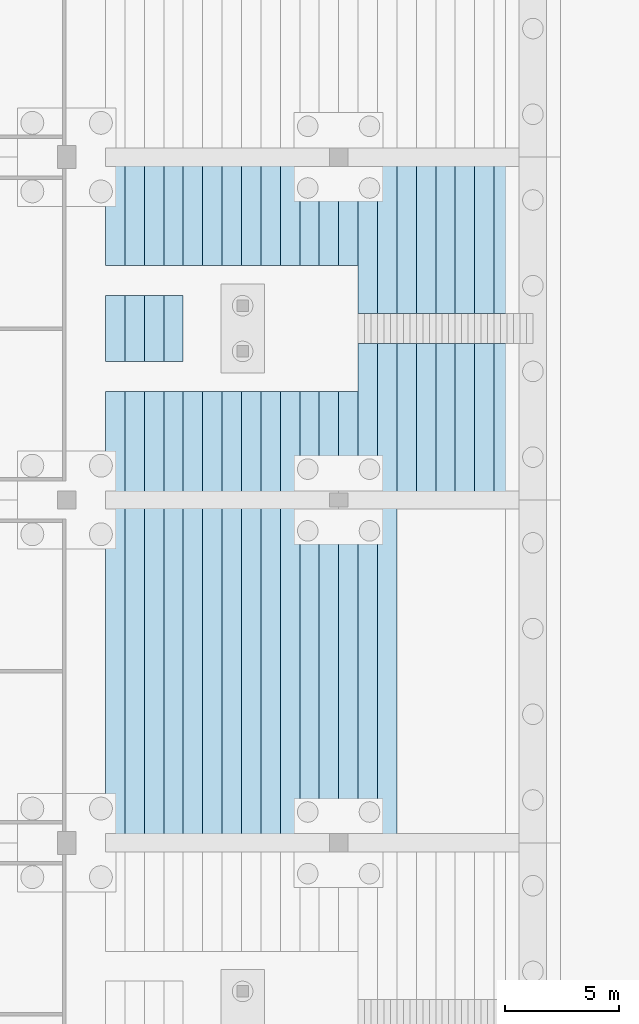
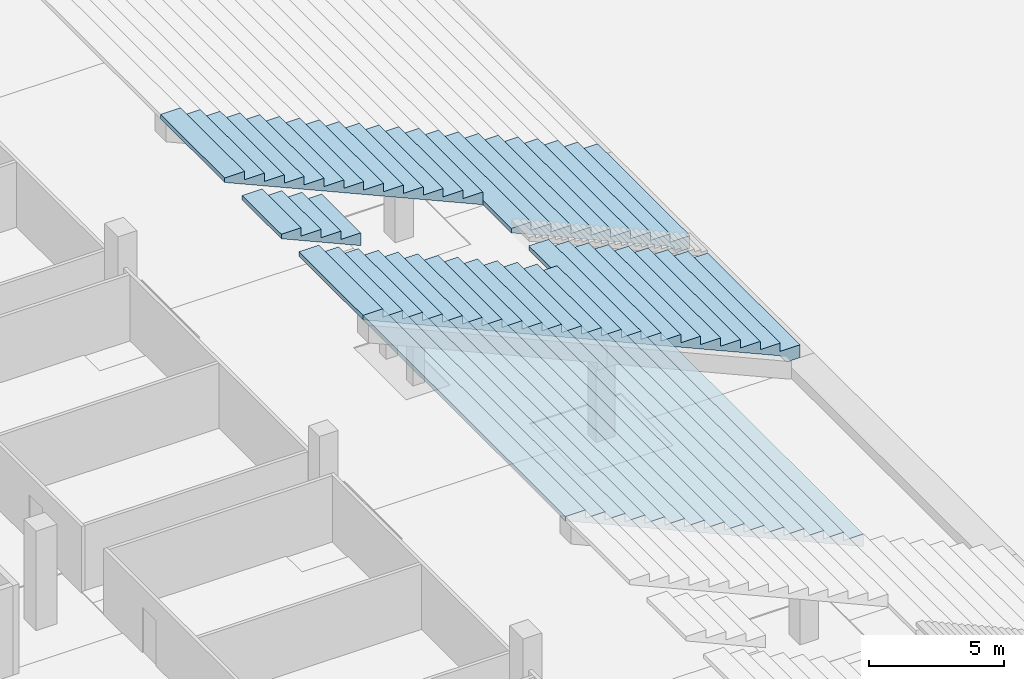
# One storey, part 49 of 115: 2 slabs.
"""IFC4 building model written with IfcOpenShell, lengths in metres."""

from ifc_helpers import new_model, si_unit, direction, frame, origin, place, context, subcontext, project, spatial, faceted_brep, material, layer, layer_set, type_object, element, save


model = new_model("IFC4")

# Units and contexts
model_context = context("Model", 3, precision=1e-05, world=origin(), true_north=direction((0.0, 1.0)))
body_context = subcontext(model_context, "Body", "Model", "MODEL_VIEW")
ifc_project = project(units=[si_unit("LENGTHUNIT", "METRE"), si_unit("AREAUNIT", "SQUARE_METRE"), si_unit("VOLUMEUNIT", "CUBIC_METRE"), si_unit("PLANEANGLEUNIT", "RADIAN"), si_unit("MASSUNIT", "GRAM", prefix="KILO")], contexts=[model_context])

# Site, building, storey
site_placement = place(None, origin())
site = spatial("IfcSite", under=ifc_project, at=site_placement, CompositionType="ELEMENT")
building_placement = place(site_placement, origin())
building = spatial("IfcBuilding", under=site, at=building_placement, Name="Ogive Plaza Stadium", CompositionType="ELEMENT")
storey_placement = place(building_placement, frame((0.0, 0.0, -4.5)))
storey = spatial("IfcBuildingStorey", under=building, at=storey_placement, Name="B1", CompositionType="ELEMENT", Elevation=-4.5)

# Slabs
ifc_material = material(Name="Concrete C45/55 precast", Category="concrete")
ifc_layer = layer(ifc_material, 0.574951171875)
ifc_layer_set = layer_set([ifc_layer], Name="Concrete C45/55 precast")
slab_type = type_object("IfcSlabType", Name="Seating tier LT 575", PredefinedType="USERDEFINED", material=ifc_layer_set)
slab_1_placement = place(storey_placement, origin())
element("IfcSlab", 1, at=slab_1_placement, inside=storey, type_object=slab_type, Name="Stand LT B24", ObjectType="SEATING TIER", PredefinedType="USERDEFINED", context=body_context, shape_type="Brep", body=[
    faceted_brep([(-47.449951171875, 7.5, 3.75), (-48.300048828125, 7.5, 3.75), (-48.300048828125, -7.5, 3.75), (-47.449951171875, -7.5, 3.75), (-48.300048828125, 7.5, 3.550048828125), (-47.449951171875, -7.5, 3.175048828125), (-48.300048828125, -7.5, 3.550048828125), (-47.449951171875, 7.5, 3.175048828125), (-49.14990234375, 7.5, 3.925048828125), (-49.14990234375, -7.5, 3.925048828125), (-50.0, 7.5, 4.300048828125), (-50.0, -7.5, 4.300048828125), (-50.85009765625, 7.5, 4.675048828125), (-50.85009765625, -7.5, 4.675048828125), (-51.699951171875, 7.5, 5.050048828125), (-51.699951171875, -7.5, 5.050048828125), (-52.550048828125, 7.5, 5.425048828125), (-52.550048828125, -7.5, 5.425048828125), (-53.39990234375, 7.5, 5.800048828125), (-53.39990234375, -7.5, 5.800048828125), (-54.25, 7.5, 6.175048828125), (-54.25, -7.5, 6.175048828125), (-55.10009765625, 7.5, 6.550048828125), (-55.10009765625, -7.5, 6.550048828125), (-55.949951171875, 7.5, 6.925048828125), (-55.949951171875, -7.5, 6.925048828125), (-56.800048828125, 7.5, 7.300048828125), (-56.800048828125, -7.5, 7.300048828125), (-57.64990234375, 7.5, 7.675048828125), (-57.64990234375, -7.5, 7.675048828125), (-58.5, 7.5, 8.050048828125), (-58.5, -7.5, 8.050048828125), (-59.35009765625, 7.5, 8.425048828125), (-59.35009765625, -7.5, 8.425048828125), (-60.199951171875, 7.5, 8.800048828125), (-60.199951171875, -7.5, 8.800048828125), (-48.300048828125, -7.5, 4.125), (-48.300048828125, 7.5, 4.125), (-49.14990234375, -7.5, 4.125), (-49.14990234375, -7.5, 4.5), (-50.0, -7.5, 4.5), (-50.0, -7.5, 4.875), (-50.85009765625, -7.5, 4.875), (-50.85009765625, -7.5, 5.25), (-51.699951171875, -7.5, 5.25), (-51.699951171875, -7.5, 5.625), (-52.550048828125, -7.5, 5.625), (-52.550048828125, -7.5, 6.0), (-53.39990234375, -7.5, 6.0), (-53.39990234375, -7.5, 6.375), (-54.25, -7.5, 6.375), (-54.25, -7.5, 6.75), (-55.10009765625, -7.5, 6.75), (-55.10009765625, -7.5, 7.125), (-55.949951171875, -7.5, 7.125), (-55.949951171875, -7.5, 7.5), (-56.800048828125, -7.5, 7.5), (-56.800048828125, -7.5, 7.875), (-57.64990234375, -7.5, 7.875), (-57.64990234375, -7.5, 8.25), (-58.5, -7.5, 8.25), (-58.5, -7.5, 8.625), (-59.35009765625, -7.5, 8.625), (-59.35009765625, -7.5, 9.0), (-60.199951171875, -7.5, 9.0), (-49.14990234375, 7.5, 4.125), (-50.0, 7.5, 4.5), (-49.14990234375, 7.5, 4.5), (-50.85009765625, 7.5, 4.875), (-50.0, 7.5, 4.875), (-51.699951171875, 7.5, 5.25), (-50.85009765625, 7.5, 5.25), (-52.550048828125, 7.5, 5.625), (-51.699951171875, 7.5, 5.625), (-53.39990234375, 7.5, 6.0), (-52.550048828125, 7.5, 6.0), (-54.25, 7.5, 6.375), (-53.39990234375, 7.5, 6.375), (-55.10009765625, 7.5, 6.75), (-54.25, 7.5, 6.75), (-55.949951171875, 7.5, 7.125), (-55.10009765625, 7.5, 7.125), (-56.800048828125, 7.5, 7.5), (-55.949951171875, 7.5, 7.5), (-57.64990234375, 7.5, 7.875), (-56.800048828125, 7.5, 7.875), (-58.5, 7.5, 8.25), (-57.64990234375, 7.5, 8.25), (-59.35009765625, 7.5, 8.625), (-58.5, 7.5, 8.625), (-60.199951171875, 7.5, 9.0), (-59.35009765625, 7.5, 9.0)], [[[0, 1, 2]], [[2, 3, 0]], [[4, 5, 6]], [[4, 7, 5]], [[8, 6, 9]], [[8, 4, 6]], [[10, 9, 11]], [[10, 8, 9]], [[12, 11, 13]], [[12, 10, 11]], [[14, 13, 15]], [[14, 12, 13]], [[16, 15, 17]], [[16, 14, 15]], [[18, 17, 19]], [[18, 16, 17]], [[20, 19, 21]], [[20, 18, 19]], [[22, 21, 23]], [[22, 20, 21]], [[24, 23, 25]], [[24, 22, 23]], [[26, 25, 27]], [[26, 24, 25]], [[28, 27, 29]], [[28, 26, 27]], [[30, 29, 31]], [[30, 28, 29]], [[32, 31, 33]], [[32, 30, 31]], [[34, 33, 35]], [[34, 32, 33]], [[36, 2, 1]], [[1, 37, 36]], [[6, 5, 3]], [[6, 3, 2]], [[2, 36, 38]], [[38, 9, 6]], [[6, 2, 38]], [[38, 39, 40]], [[40, 11, 9]], [[9, 38, 40]], [[40, 41, 42]], [[42, 13, 11]], [[11, 40, 42]], [[42, 43, 44]], [[44, 15, 13]], [[13, 42, 44]], [[44, 45, 46]], [[46, 17, 15]], [[15, 44, 46]], [[46, 47, 48]], [[48, 19, 17]], [[17, 46, 48]], [[48, 49, 50]], [[50, 21, 19]], [[19, 48, 50]], [[50, 51, 52]], [[52, 23, 21]], [[21, 50, 52]], [[52, 53, 54]], [[54, 25, 23]], [[23, 52, 54]], [[54, 55, 56]], [[56, 27, 25]], [[25, 54, 56]], [[56, 57, 58]], [[58, 29, 27]], [[27, 56, 58]], [[58, 59, 60]], [[60, 31, 29]], [[29, 58, 60]], [[60, 61, 62]], [[62, 33, 31]], [[31, 60, 62]], [[62, 63, 64]], [[64, 35, 33]], [[33, 62, 64]], [[3, 5, 7]], [[7, 0, 3]], [[0, 7, 4]], [[4, 1, 0]], [[65, 37, 1]], [[1, 4, 8]], [[8, 65, 1]], [[66, 67, 65]], [[65, 8, 10]], [[10, 66, 65]], [[68, 69, 66]], [[66, 10, 12]], [[12, 68, 66]], [[70, 71, 68]], [[68, 12, 14]], [[14, 70, 68]], [[72, 73, 70]], [[70, 14, 16]], [[16, 72, 70]], [[74, 75, 72]], [[72, 16, 18]], [[18, 74, 72]], [[76, 77, 74]], [[74, 18, 20]], [[20, 76, 74]], [[78, 79, 76]], [[76, 20, 22]], [[22, 78, 76]], [[80, 81, 78]], [[78, 22, 24]], [[24, 80, 78]], [[82, 83, 80]], [[80, 24, 26]], [[26, 82, 80]], [[84, 85, 82]], [[82, 26, 28]], [[28, 84, 82]], [[86, 87, 84]], [[84, 28, 30]], [[30, 86, 84]], [[88, 89, 86]], [[86, 30, 32]], [[32, 88, 86]], [[90, 91, 88]], [[88, 32, 34]], [[34, 90, 88]], [[37, 65, 38]], [[38, 36, 37]], [[39, 38, 65]], [[65, 67, 39]], [[67, 66, 40]], [[40, 39, 67]], [[41, 40, 66]], [[66, 69, 41]], [[69, 68, 42]], [[42, 41, 69]], [[43, 42, 68]], [[68, 71, 43]], [[71, 70, 44]], [[44, 43, 71]], [[45, 44, 70]], [[70, 73, 45]], [[73, 72, 46]], [[46, 45, 73]], [[47, 46, 72]], [[72, 75, 47]], [[75, 74, 48]], [[48, 47, 75]], [[49, 48, 74]], [[74, 77, 49]], [[77, 76, 50]], [[50, 49, 77]], [[51, 50, 76]], [[76, 79, 51]], [[79, 78, 52]], [[52, 51, 79]], [[53, 52, 78]], [[78, 81, 53]], [[81, 80, 54]], [[54, 53, 81]], [[55, 54, 80]], [[80, 83, 55]], [[83, 82, 56]], [[56, 55, 83]], [[57, 56, 82]], [[82, 85, 57]], [[85, 84, 58]], [[58, 57, 85]], [[59, 58, 84]], [[84, 87, 59]], [[87, 86, 60]], [[60, 59, 87]], [[61, 60, 86]], [[86, 89, 61]], [[89, 88, 62]], [[62, 61, 89]], [[63, 62, 88]], [[88, 91, 63]], [[91, 90, 64]], [[64, 63, 91]], [[90, 34, 35]], [[35, 64, 90]]]),
])
slab_2_placement = place(storey_placement, origin())
element("IfcSlab", 2, at=slab_2_placement, inside=storey, type_object=slab_type, Name="Stand LT B25", ObjectType="SEATING TIER", PredefinedType="USERDEFINED", context=body_context, shape_type="Brep", body=[
    faceted_brep([(-41.5, 14.35009765625, 1.125), (-42.10009765625, 14.35009765625, 1.125), (-42.10009765625, 7.5, 1.125), (-41.5, 7.5, 1.125), (-41.5, 22.5, 1.125), (-42.10009765625, 22.5, 1.125), (-42.10009765625, 15.64990234375, 1.125), (-41.5, 15.64990234375, 1.125), (-42.35009765625, 14.35009765625, 1.125), (-42.35009765625, 7.5, 1.125), (-42.35009765625, 22.5, 1.125), (-42.35009765625, 15.64990234375, 1.125), (-42.10009765625, 14.35009765625, 0.550048828125), (-41.5, 7.5, 0.550048828125), (-42.10009765625, 7.5, 0.550048828125), (-41.5, 14.35009765625, 0.550048828125), (-42.10009765625, 22.5, 0.550048828125), (-41.5, 15.64990234375, 0.550048828125), (-42.10009765625, 15.64990234375, 0.550048828125), (-41.5, 22.5, 0.550048828125), (-42.35009765625, 7.5, 0.925048828125), (-42.35009765625, 7.5, 1.5), (-43.199951171875, 7.5, 1.5), (-43.199951171875, 7.5, 1.300048828125), (-43.199951171875, 7.5, 1.875), (-44.050048828125, 7.5, 1.875), (-44.050048828125, 7.5, 1.675048828125), (-44.050048828125, 7.5, 2.25), (-44.89990234375, 7.5, 2.25), (-44.89990234375, 7.5, 2.050048828125), (-44.89990234375, 7.5, 2.625), (-45.75, 7.5, 2.625), (-45.75, 7.5, 2.425048828125), (-45.75, 7.5, 3.0), (-46.60009765625, 7.5, 3.0), (-46.60009765625, 7.5, 2.800048828125), (-46.60009765625, 7.5, 3.375), (-47.449951171875, 7.5, 3.375), (-47.449951171875, 7.5, 3.175048828125), (-47.449951171875, 7.5, 3.75), (-48.300048828125, 7.5, 3.75), (-48.300048828125, 7.5, 3.550048828125), (-48.300048828125, 7.5, 4.125), (-49.14990234375, 7.5, 4.125), (-49.14990234375, 7.5, 3.925048828125), (-49.14990234375, 7.5, 4.5), (-50.0, 7.5, 4.5), (-50.0, 7.5, 4.300048828125), (-50.0, 7.5, 4.875), (-50.85009765625, 7.5, 4.875), (-50.85009765625, 7.5, 4.675048828125), (-50.85009765625, 7.5, 5.25), (-51.699951171875, 7.5, 5.25), (-51.699951171875, 7.5, 5.050048828125), (-51.699951171875, 7.5, 5.625), (-52.550048828125, 7.5, 5.625), (-52.550048828125, 7.5, 5.425048828125), (-52.550048828125, 7.5, 6.0), (-53.39990234375, 7.5, 6.0), (-53.39990234375, 7.5, 5.800048828125), (-53.39990234375, 7.5, 6.375), (-54.25, 7.5, 6.375), (-54.25, 7.5, 6.175048828125), (-54.25, 7.5, 6.75), (-55.10009765625, 7.5, 6.75), (-55.10009765625, 7.5, 6.550048828125), (-55.10009765625, 7.5, 7.125), (-55.949951171875, 7.5, 7.125), (-55.949951171875, 7.5, 6.925048828125), (-55.949951171875, 7.5, 7.5), (-56.800048828125, 7.5, 7.5), (-56.800048828125, 7.5, 7.300048828125), (-56.800048828125, 7.5, 7.875), (-57.64990234375, 7.5, 7.875), (-57.64990234375, 7.5, 7.675048828125), (-57.64990234375, 7.5, 8.25), (-58.5, 7.5, 8.25), (-58.5, 7.5, 8.050048828125), (-58.5, 7.5, 8.625), (-59.35009765625, 7.5, 8.625), (-59.35009765625, 7.5, 8.425048828125), (-59.35009765625, 7.5, 9.0), (-60.199951171875, 7.5, 9.0), (-60.199951171875, 7.5, 8.800048828125), (-42.35009765625, 14.35009765625, 0.925048828125), (-43.199951171875, 14.35009765625, 1.5), (-42.35009765625, 14.35009765625, 1.5), (-43.199951171875, 14.35009765625, 1.300048828125), (-44.050048828125, 14.35009765625, 1.875), (-43.199951171875, 14.35009765625, 1.875), (-44.050048828125, 14.35009765625, 1.675048828125), (-44.89990234375, 14.35009765625, 2.25), (-44.050048828125, 14.35009765625, 2.25), (-44.89990234375, 14.35009765625, 2.050048828125), (-45.75, 14.35009765625, 2.625), (-44.89990234375, 14.35009765625, 2.625), (-45.75, 14.35009765625, 2.425048828125), (-46.60009765625, 14.35009765625, 3.0), (-45.75, 14.35009765625, 3.0), (-46.60009765625, 14.35009765625, 2.800048828125), (-47.449951171875, 14.35009765625, 3.375), (-46.60009765625, 14.35009765625, 3.375), (-47.449951171875, 14.35009765625, 3.175048828125), (-48.300048828125, 14.35009765625, 3.75), (-47.449951171875, 14.35009765625, 3.75), (-48.300048828125, 14.35009765625, 3.550048828125), (-49.14990234375, 14.35009765625, 4.125), (-48.300048828125, 14.35009765625, 4.125), (-49.14990234375, 14.35009765625, 3.925048828125), (-42.35009765625, 15.64990234375, 0.925048828125), (-42.35009765625, 15.64990234375, 1.5), (-43.199951171875, 15.64990234375, 1.5), (-43.199951171875, 15.64990234375, 1.300048828125), (-43.199951171875, 15.64990234375, 1.875), (-44.050048828125, 15.64990234375, 1.875), (-44.050048828125, 15.64990234375, 1.675048828125), (-44.050048828125, 15.64990234375, 2.25), (-44.89990234375, 15.64990234375, 2.25), (-44.89990234375, 15.64990234375, 2.050048828125), (-44.89990234375, 15.64990234375, 2.625), (-45.75, 15.64990234375, 2.625), (-45.75, 15.64990234375, 2.425048828125), (-45.75, 15.64990234375, 3.0), (-46.60009765625, 15.64990234375, 3.0), (-46.60009765625, 15.64990234375, 2.800048828125), (-46.60009765625, 15.64990234375, 3.375), (-47.449951171875, 15.64990234375, 3.375), (-47.449951171875, 15.64990234375, 3.175048828125), (-47.449951171875, 15.64990234375, 3.75), (-48.300048828125, 15.64990234375, 3.75), (-48.300048828125, 15.64990234375, 3.550048828125), (-48.300048828125, 15.64990234375, 4.125), (-49.14990234375, 15.64990234375, 4.125), (-49.14990234375, 15.64990234375, 3.925048828125), (-42.35009765625, 22.5, 0.925048828125), (-43.199951171875, 22.5, 1.5), (-42.35009765625, 22.5, 1.5), (-43.199951171875, 22.5, 1.300048828125), (-44.050048828125, 22.5, 1.875), (-43.199951171875, 22.5, 1.875), (-44.050048828125, 22.5, 1.675048828125), (-44.89990234375, 22.5, 2.25), (-44.050048828125, 22.5, 2.25), (-44.89990234375, 22.5, 2.050048828125), (-45.75, 22.5, 2.625), (-44.89990234375, 22.5, 2.625), (-45.75, 22.5, 2.425048828125), (-46.60009765625, 22.5, 3.0), (-45.75, 22.5, 3.0), (-46.60009765625, 22.5, 2.800048828125), (-47.449951171875, 22.5, 3.375), (-46.60009765625, 22.5, 3.375), (-47.449951171875, 22.5, 3.175048828125), (-48.300048828125, 22.5, 3.75), (-47.449951171875, 22.5, 3.75), (-48.300048828125, 22.5, 3.550048828125), (-49.14990234375, 22.5, 4.125), (-48.300048828125, 22.5, 4.125), (-49.14990234375, 22.5, 3.925048828125), (-50.0, 22.5, 4.5), (-49.14990234375, 22.5, 4.5), (-50.0, 22.5, 4.300048828125), (-50.85009765625, 22.5, 4.875), (-50.0, 22.5, 4.875), (-50.85009765625, 22.5, 4.675048828125), (-51.699951171875, 22.5, 5.25), (-50.85009765625, 22.5, 5.25), (-51.699951171875, 22.5, 5.050048828125), (-52.550048828125, 22.5, 5.625), (-51.699951171875, 22.5, 5.625), (-52.550048828125, 22.5, 5.425048828125), (-53.39990234375, 22.5, 6.0), (-52.550048828125, 22.5, 6.0), (-53.39990234375, 22.5, 5.800048828125), (-54.25, 22.5, 6.375), (-53.39990234375, 22.5, 6.375), (-54.25, 22.5, 6.175048828125), (-55.10009765625, 22.5, 6.75), (-54.25, 22.5, 6.75), (-55.10009765625, 22.5, 6.550048828125), (-55.949951171875, 22.5, 7.125), (-55.10009765625, 22.5, 7.125), (-55.949951171875, 22.5, 6.925048828125), (-56.800048828125, 22.5, 7.5), (-55.949951171875, 22.5, 7.5), (-56.800048828125, 22.5, 7.300048828125), (-57.64990234375, 22.5, 7.875), (-56.800048828125, 22.5, 7.875), (-57.64990234375, 22.5, 7.675048828125), (-58.5, 22.5, 8.25), (-57.64990234375, 22.5, 8.25), (-58.5, 22.5, 8.050048828125), (-59.35009765625, 22.5, 8.625), (-58.5, 22.5, 8.625), (-59.35009765625, 22.5, 8.425048828125), (-60.199951171875, 22.5, 9.0), (-59.35009765625, 22.5, 9.0), (-60.199951171875, 22.5, 8.800048828125), (-49.14990234375, 12.25, 3.925048828125), (-49.14990234375, 17.75, 3.925048828125), (-50.0, 12.25, 4.300048828125), (-50.0, 17.75, 4.300048828125), (-50.85009765625, 12.25, 4.675048828125), (-50.85009765625, 17.75, 4.675048828125), (-51.699951171875, 12.25, 5.050048828125), (-51.699951171875, 17.75, 5.050048828125), (-52.550048828125, 12.25, 5.425048828125), (-52.550048828125, 17.75, 5.425048828125), (-53.39990234375, 12.25, 5.800048828125), (-53.39990234375, 17.75, 5.800048828125), (-54.25, 12.25, 6.175048828125), (-54.25, 17.75, 6.175048828125), (-55.10009765625, 12.25, 6.550048828125), (-55.10009765625, 17.75, 6.550048828125), (-55.949951171875, 12.25, 6.925048828125), (-55.949951171875, 17.75, 6.925048828125), (-56.800048828125, 12.25, 7.300048828125), (-56.800048828125, 17.75, 7.300048828125), (-57.64990234375, 12.25, 7.675048828125), (-57.64990234375, 16.449951171875, 7.675048828125), (-56.800048828125, 13.550048828125, 7.300048828125), (-57.64990234375, 13.550048828125, 7.675048828125), (-56.800048828125, 16.449951171875, 7.300048828125), (-57.64990234375, 17.75, 7.675048828125), (-49.14990234375, 12.25, 4.125), (-49.14990234375, 17.75, 4.125), (-49.14990234375, 12.25, 4.5), (-49.14990234375, 17.75, 4.5), (-50.0, 12.25, 4.5), (-50.0, 17.75, 4.5), (-50.0, 12.25, 4.875), (-50.0, 17.75, 4.875), (-50.85009765625, 12.25, 4.875), (-51.699951171875, 12.25, 5.25), (-50.85009765625, 12.25, 5.25), (-52.550048828125, 12.25, 5.625), (-51.699951171875, 12.25, 5.625), (-53.39990234375, 12.25, 6.0), (-52.550048828125, 12.25, 6.0), (-54.25, 12.25, 6.375), (-53.39990234375, 12.25, 6.375), (-55.10009765625, 12.25, 6.75), (-54.25, 12.25, 6.75), (-55.949951171875, 12.25, 7.125), (-55.10009765625, 12.25, 7.125), (-56.800048828125, 12.25, 7.5), (-55.949951171875, 12.25, 7.5), (-57.64990234375, 12.25, 7.875), (-56.800048828125, 12.25, 7.875), (-58.5, 12.25, 8.25), (-57.64990234375, 12.25, 8.25), (-58.5, 12.25, 8.050048828125), (-59.35009765625, 12.25, 8.625), (-58.5, 12.25, 8.625), (-59.35009765625, 12.25, 8.425048828125), (-60.199951171875, 12.25, 9.0), (-59.35009765625, 12.25, 9.0), (-60.199951171875, 12.25, 8.800048828125), (-50.85009765625, 17.75, 4.875), (-50.85009765625, 17.75, 5.25), (-51.699951171875, 17.75, 5.25), (-51.699951171875, 17.75, 5.625), (-52.550048828125, 17.75, 5.625), (-52.550048828125, 17.75, 6.0), (-53.39990234375, 17.75, 6.0), (-53.39990234375, 17.75, 6.375), (-54.25, 17.75, 6.375), (-54.25, 17.75, 6.75), (-55.10009765625, 17.75, 6.75), (-55.10009765625, 17.75, 7.125), (-55.949951171875, 17.75, 7.125), (-55.949951171875, 17.75, 7.5), (-56.800048828125, 17.75, 7.5), (-56.800048828125, 17.75, 7.875), (-57.64990234375, 17.75, 7.875), (-57.64990234375, 17.75, 8.25), (-58.5, 17.75, 8.25), (-58.5, 17.75, 8.050048828125), (-58.5, 17.75, 8.625), (-59.35009765625, 17.75, 8.625), (-59.35009765625, 17.75, 8.425048828125), (-59.35009765625, 17.75, 9.0), (-60.199951171875, 17.75, 9.0), (-60.199951171875, 17.75, 8.800048828125), (-56.800048828125, 13.550048828125, 7.875), (-56.800048828125, 16.449951171875, 7.875), (-57.64990234375, 16.449951171875, 7.875), (-57.64990234375, 13.550048828125, 7.875), (-57.64990234375, 13.550048828125, 8.25), (-57.64990234375, 16.449951171875, 8.25), (-58.5, 13.550048828125, 8.25), (-58.5, 13.550048828125, 8.050048828125), (-58.5, 13.550048828125, 8.625), (-59.35009765625, 13.550048828125, 8.625), (-59.35009765625, 13.550048828125, 8.425048828125), (-59.35009765625, 13.550048828125, 9.0), (-60.199951171875, 13.550048828125, 9.0), (-60.199951171875, 13.550048828125, 8.800048828125), (-58.5, 16.449951171875, 8.25), (-58.5, 16.449951171875, 8.050048828125), (-59.35009765625, 16.449951171875, 8.625), (-58.5, 16.449951171875, 8.625), (-59.35009765625, 16.449951171875, 8.425048828125), (-60.199951171875, 16.449951171875, 9.0), (-59.35009765625, 16.449951171875, 9.0), (-60.199951171875, 16.449951171875, 8.800048828125)], [[[0, 1, 2]], [[2, 3, 0]], [[4, 5, 6]], [[6, 7, 4]], [[1, 8, 9]], [[9, 2, 1]], [[5, 10, 11]], [[11, 6, 5]], [[12, 13, 14]], [[12, 15, 13]], [[16, 17, 18]], [[16, 19, 17]], [[2, 14, 13]], [[13, 3, 2]], [[20, 14, 2]], [[20, 2, 9]], [[9, 21, 22]], [[22, 23, 20]], [[20, 9, 22]], [[22, 24, 25]], [[25, 26, 23]], [[23, 22, 25]], [[25, 27, 28]], [[28, 29, 26]], [[26, 25, 28]], [[28, 30, 31]], [[31, 32, 29]], [[29, 28, 31]], [[31, 33, 34]], [[34, 35, 32]], [[32, 31, 34]], [[34, 36, 37]], [[37, 38, 35]], [[35, 34, 37]], [[37, 39, 40]], [[40, 41, 38]], [[38, 37, 40]], [[40, 42, 43]], [[43, 44, 41]], [[41, 40, 43]], [[43, 45, 46]], [[46, 47, 44]], [[44, 43, 46]], [[46, 48, 49]], [[49, 50, 47]], [[47, 46, 49]], [[49, 51, 52]], [[52, 53, 50]], [[50, 49, 52]], [[52, 54, 55]], [[55, 56, 53]], [[53, 52, 55]], [[55, 57, 58]], [[58, 59, 56]], [[56, 55, 58]], [[58, 60, 61]], [[61, 62, 59]], [[59, 58, 61]], [[61, 63, 64]], [[64, 65, 62]], [[62, 61, 64]], [[64, 66, 67]], [[67, 68, 65]], [[65, 64, 67]], [[67, 69, 70]], [[70, 71, 68]], [[68, 67, 70]], [[70, 72, 73]], [[73, 74, 71]], [[71, 70, 73]], [[73, 75, 76]], [[76, 77, 74]], [[74, 73, 76]], [[76, 78, 79]], [[79, 80, 77]], [[77, 76, 79]], [[79, 81, 82]], [[82, 83, 80]], [[80, 79, 82]], [[3, 13, 15]], [[15, 0, 3]], [[7, 17, 19]], [[19, 4, 7]], [[0, 15, 12]], [[12, 1, 0]], [[1, 12, 84]], [[84, 8, 1]], [[85, 86, 8]], [[8, 84, 87]], [[87, 85, 8]], [[88, 89, 85]], [[85, 87, 90]], [[90, 88, 85]], [[91, 92, 88]], [[88, 90, 93]], [[93, 91, 88]], [[94, 95, 91]], [[91, 93, 96]], [[96, 94, 91]], [[97, 98, 94]], [[94, 96, 99]], [[99, 97, 94]], [[100, 101, 97]], [[97, 99, 102]], [[102, 100, 97]], [[103, 104, 100]], [[100, 102, 105]], [[105, 103, 100]], [[106, 107, 103]], [[103, 105, 108]], [[108, 106, 103]], [[6, 18, 17]], [[17, 7, 6]], [[109, 18, 6]], [[109, 6, 11]], [[11, 110, 111]], [[111, 112, 109]], [[109, 11, 111]], [[111, 113, 114]], [[114, 115, 112]], [[112, 111, 114]], [[114, 116, 117]], [[117, 118, 115]], [[115, 114, 117]], [[117, 119, 120]], [[120, 121, 118]], [[118, 117, 120]], [[120, 122, 123]], [[123, 124, 121]], [[121, 120, 123]], [[123, 125, 126]], [[126, 127, 124]], [[124, 123, 126]], [[126, 128, 129]], [[129, 130, 127]], [[127, 126, 129]], [[129, 131, 132]], [[132, 133, 130]], [[130, 129, 132]], [[4, 19, 16]], [[16, 5, 4]], [[5, 16, 134]], [[134, 10, 5]], [[135, 136, 10]], [[10, 134, 137]], [[137, 135, 10]], [[138, 139, 135]], [[135, 137, 140]], [[140, 138, 135]], [[141, 142, 138]], [[138, 140, 143]], [[143, 141, 138]], [[144, 145, 141]], [[141, 143, 146]], [[146, 144, 141]], [[147, 148, 144]], [[144, 146, 149]], [[149, 147, 144]], [[150, 151, 147]], [[147, 149, 152]], [[152, 150, 147]], [[153, 154, 150]], [[150, 152, 155]], [[155, 153, 150]], [[156, 157, 153]], [[153, 155, 158]], [[158, 156, 153]], [[159, 160, 156]], [[156, 158, 161]], [[161, 159, 156]], [[162, 163, 159]], [[159, 161, 164]], [[164, 162, 159]], [[165, 166, 162]], [[162, 164, 167]], [[167, 165, 162]], [[168, 169, 165]], [[165, 167, 170]], [[170, 168, 165]], [[171, 172, 168]], [[168, 170, 173]], [[173, 171, 168]], [[174, 175, 171]], [[171, 173, 176]], [[176, 174, 171]], [[177, 178, 174]], [[174, 176, 179]], [[179, 177, 174]], [[180, 181, 177]], [[177, 179, 182]], [[182, 180, 177]], [[183, 184, 180]], [[180, 182, 185]], [[185, 183, 180]], [[186, 187, 183]], [[183, 185, 188]], [[188, 186, 183]], [[189, 190, 186]], [[186, 188, 191]], [[191, 189, 186]], [[192, 193, 189]], [[189, 191, 194]], [[194, 192, 189]], [[195, 196, 192]], [[192, 194, 197]], [[197, 195, 192]], [[84, 14, 20]], [[84, 12, 14]], [[134, 18, 109]], [[134, 16, 18]], [[21, 9, 8]], [[8, 86, 21]], [[110, 11, 10]], [[10, 136, 110]], [[86, 85, 22]], [[22, 21, 86]], [[136, 135, 111]], [[111, 110, 136]], [[87, 20, 23]], [[87, 84, 20]], [[137, 109, 112]], [[137, 134, 109]], [[90, 23, 26]], [[90, 87, 23]], [[140, 112, 115]], [[140, 137, 112]], [[93, 26, 29]], [[93, 90, 26]], [[143, 115, 118]], [[143, 140, 115]], [[96, 29, 32]], [[96, 93, 29]], [[146, 118, 121]], [[146, 143, 118]], [[99, 32, 35]], [[99, 96, 32]], [[149, 121, 124]], [[149, 146, 121]], [[102, 35, 38]], [[102, 99, 35]], [[152, 124, 127]], [[152, 149, 124]], [[105, 38, 41]], [[105, 102, 38]], [[155, 127, 130]], [[155, 152, 127]], [[41, 44, 198]], [[108, 41, 198]], [[108, 105, 41]], [[199, 158, 130]], [[130, 133, 199]], [[158, 155, 130]], [[200, 44, 47]], [[200, 198, 44]], [[161, 199, 201]], [[161, 158, 199]], [[202, 47, 50]], [[202, 200, 47]], [[164, 201, 203]], [[164, 161, 201]], [[204, 50, 53]], [[204, 202, 50]], [[167, 203, 205]], [[167, 164, 203]], [[206, 53, 56]], [[206, 204, 53]], [[170, 205, 207]], [[170, 167, 205]], [[208, 56, 59]], [[208, 206, 56]], [[173, 207, 209]], [[173, 170, 207]], [[210, 59, 62]], [[210, 208, 59]], [[176, 209, 211]], [[176, 173, 209]], [[212, 62, 65]], [[212, 210, 62]], [[179, 211, 213]], [[179, 176, 211]], [[214, 65, 68]], [[214, 212, 65]], [[182, 213, 215]], [[182, 179, 213]], [[216, 68, 71]], [[216, 214, 68]], [[185, 215, 217]], [[185, 182, 215]], [[218, 71, 74]], [[218, 216, 71]], [[219, 220, 221]], [[219, 222, 220]], [[188, 217, 223]], [[188, 185, 217]], [[24, 22, 85]], [[85, 89, 24]], [[113, 111, 135]], [[135, 139, 113]], [[89, 88, 25]], [[25, 24, 89]], [[139, 138, 114]], [[114, 113, 139]], [[27, 25, 88]], [[88, 92, 27]], [[116, 114, 138]], [[138, 142, 116]], [[92, 91, 28]], [[28, 27, 92]], [[142, 141, 117]], [[117, 116, 142]], [[30, 28, 91]], [[91, 95, 30]], [[119, 117, 141]], [[141, 145, 119]], [[95, 94, 31]], [[31, 30, 95]], [[145, 144, 120]], [[120, 119, 145]], [[33, 31, 94]], [[94, 98, 33]], [[122, 120, 144]], [[144, 148, 122]], [[98, 97, 34]], [[34, 33, 98]], [[148, 147, 123]], [[123, 122, 148]], [[36, 34, 97]], [[97, 101, 36]], [[125, 123, 147]], [[147, 151, 125]], [[101, 100, 37]], [[37, 36, 101]], [[151, 150, 126]], [[126, 125, 151]], [[39, 37, 100]], [[100, 104, 39]], [[128, 126, 150]], [[150, 154, 128]], [[104, 103, 40]], [[40, 39, 104]], [[154, 153, 129]], [[129, 128, 154]], [[42, 40, 103]], [[103, 107, 42]], [[131, 129, 153]], [[153, 157, 131]], [[43, 42, 107]], [[224, 43, 107]], [[106, 224, 107]], [[132, 131, 157]], [[157, 156, 225]], [[225, 132, 157]], [[108, 198, 224]], [[224, 106, 108]], [[199, 133, 132]], [[132, 225, 199]], [[45, 43, 224]], [[224, 226, 45]], [[227, 225, 156]], [[156, 160, 227]], [[226, 228, 46]], [[46, 45, 226]], [[160, 159, 229]], [[229, 227, 160]], [[48, 46, 228]], [[228, 230, 48]], [[231, 229, 159]], [[159, 163, 231]], [[228, 226, 224]], [[224, 198, 200]], [[200, 228, 224]], [[232, 230, 228]], [[228, 200, 202]], [[202, 232, 228]], [[233, 234, 232]], [[232, 202, 204]], [[204, 233, 232]], [[235, 236, 233]], [[233, 204, 206]], [[206, 235, 233]], [[237, 238, 235]], [[235, 206, 208]], [[208, 237, 235]], [[239, 240, 237]], [[237, 208, 210]], [[210, 239, 237]], [[241, 242, 239]], [[239, 210, 212]], [[212, 241, 239]], [[243, 244, 241]], [[241, 212, 214]], [[214, 243, 241]], [[245, 246, 243]], [[243, 214, 216]], [[216, 245, 243]], [[247, 248, 245]], [[245, 216, 218]], [[218, 247, 245]], [[249, 250, 247]], [[247, 218, 251]], [[251, 249, 247]], [[252, 253, 249]], [[249, 251, 254]], [[254, 252, 249]], [[255, 256, 252]], [[252, 254, 257]], [[257, 255, 252]], [[225, 227, 229]], [[229, 201, 199]], [[199, 225, 229]], [[229, 231, 258]], [[258, 203, 201]], [[201, 229, 258]], [[258, 259, 260]], [[260, 205, 203]], [[203, 258, 260]], [[260, 261, 262]], [[262, 207, 205]], [[205, 260, 262]], [[262, 263, 264]], [[264, 209, 207]], [[207, 262, 264]], [[264, 265, 266]], [[266, 211, 209]], [[209, 264, 266]], [[266, 267, 268]], [[268, 213, 211]], [[211, 266, 268]], [[268, 269, 270]], [[270, 215, 213]], [[213, 268, 270]], [[270, 271, 272]], [[272, 217, 215]], [[215, 270, 272]], [[272, 273, 274]], [[274, 223, 217]], [[217, 272, 274]], [[274, 275, 276]], [[276, 277, 223]], [[223, 274, 276]], [[276, 278, 279]], [[279, 280, 277]], [[277, 276, 279]], [[279, 281, 282]], [[282, 283, 280]], [[280, 279, 282]], [[230, 232, 49]], [[49, 48, 230]], [[163, 162, 258]], [[258, 231, 163]], [[51, 49, 232]], [[232, 234, 51]], [[259, 258, 162]], [[162, 166, 259]], [[234, 233, 52]], [[52, 51, 234]], [[166, 165, 260]], [[260, 259, 166]], [[54, 52, 233]], [[233, 236, 54]], [[261, 260, 165]], [[165, 169, 261]], [[236, 235, 55]], [[55, 54, 236]], [[169, 168, 262]], [[262, 261, 169]], [[57, 55, 235]], [[235, 238, 57]], [[263, 262, 168]], [[168, 172, 263]], [[238, 237, 58]], [[58, 57, 238]], [[172, 171, 264]], [[264, 263, 172]], [[60, 58, 237]], [[237, 240, 60]], [[265, 264, 171]], [[171, 175, 265]], [[240, 239, 61]], [[61, 60, 240]], [[175, 174, 266]], [[266, 265, 175]], [[63, 61, 239]], [[239, 242, 63]], [[267, 266, 174]], [[174, 178, 267]], [[242, 241, 64]], [[64, 63, 242]], [[178, 177, 268]], [[268, 267, 178]], [[66, 64, 241]], [[241, 244, 66]], [[269, 268, 177]], [[177, 181, 269]], [[244, 243, 67]], [[67, 66, 244]], [[181, 180, 270]], [[270, 269, 181]], [[69, 67, 243]], [[243, 246, 69]], [[271, 270, 180]], [[180, 184, 271]], [[246, 245, 70]], [[70, 69, 246]], [[184, 183, 272]], [[272, 271, 184]], [[72, 70, 245]], [[245, 248, 72]], [[284, 220, 222]], [[222, 285, 284]], [[273, 272, 183]], [[183, 187, 273]], [[248, 247, 73]], [[73, 72, 248]], [[285, 286, 287]], [[287, 284, 285]], [[187, 186, 274]], [[274, 273, 187]], [[75, 73, 247]], [[247, 250, 75]], [[288, 287, 286]], [[286, 289, 288]], [[275, 274, 186]], [[186, 190, 275]], [[221, 220, 284]], [[221, 284, 287]], [[287, 288, 290]], [[290, 291, 221]], [[221, 287, 290]], [[290, 292, 293]], [[293, 294, 291]], [[291, 290, 293]], [[293, 295, 296]], [[296, 297, 294]], [[294, 293, 296]], [[285, 222, 219]], [[219, 286, 285]], [[298, 289, 286]], [[286, 219, 299]], [[299, 298, 286]], [[300, 301, 298]], [[298, 299, 302]], [[302, 300, 298]], [[303, 304, 300]], [[300, 302, 305]], [[305, 303, 300]], [[250, 249, 76]], [[76, 75, 250]], [[289, 298, 290]], [[290, 288, 289]], [[190, 189, 276]], [[276, 275, 190]], [[251, 74, 77]], [[251, 218, 74]], [[299, 221, 291]], [[299, 219, 221]], [[191, 223, 277]], [[191, 188, 223]], [[254, 77, 80]], [[254, 251, 77]], [[302, 291, 294]], [[302, 299, 291]], [[194, 277, 280]], [[194, 191, 277]], [[257, 80, 83]], [[257, 254, 80]], [[305, 294, 297]], [[305, 302, 294]], [[197, 280, 283]], [[197, 194, 280]], [[78, 76, 249]], [[249, 253, 78]], [[292, 290, 298]], [[298, 301, 292]], [[278, 276, 189]], [[189, 193, 278]], [[253, 252, 79]], [[79, 78, 253]], [[301, 300, 293]], [[293, 292, 301]], [[193, 192, 279]], [[279, 278, 193]], [[81, 79, 252]], [[252, 256, 81]], [[295, 293, 300]], [[300, 304, 295]], [[281, 279, 192]], [[192, 196, 281]], [[256, 255, 82]], [[82, 81, 256]], [[304, 303, 296]], [[296, 295, 304]], [[196, 195, 282]], [[282, 281, 196]], [[255, 257, 83]], [[83, 82, 255]], [[303, 305, 297]], [[297, 296, 303]], [[195, 197, 283]], [[283, 282, 195]]]),
])

save(model, "model.ifc")
